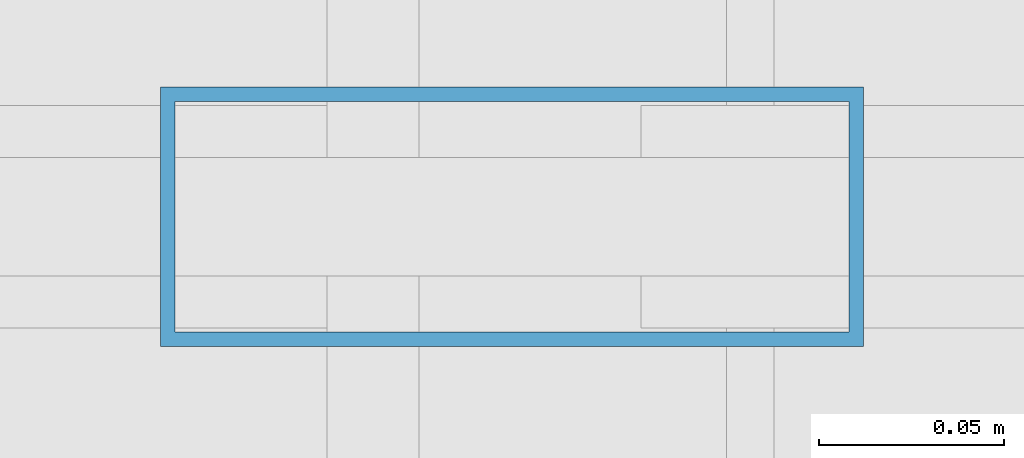
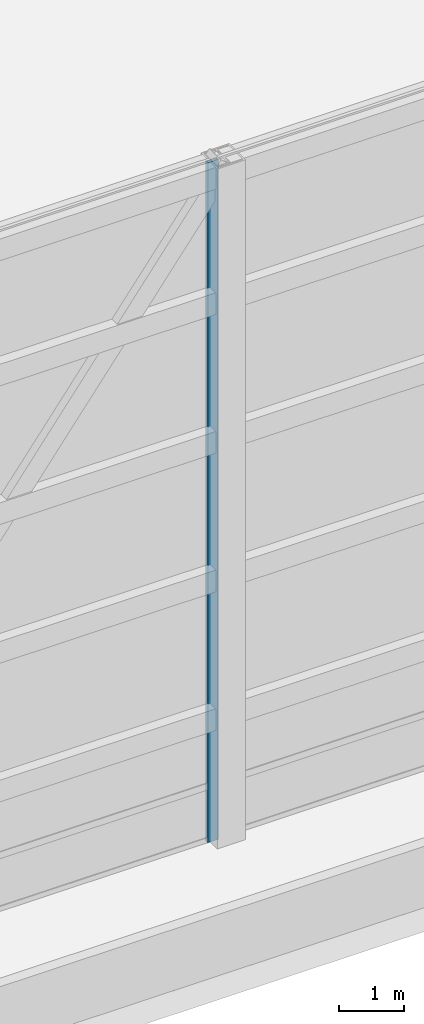
# One storey, part 3 of 23: 1 member, 1 element without a shape of its own.
"""IFC4 building model written with IfcOpenShell, lengths in metres."""

from ifc_helpers import new_model, si_unit, direction, frame, origin, origin_2d, place, context, subcontext, project, spatial, hollow_rectangle, extrude, source, transform, mapped, material, layer, layer_set, material_profile, profile_set, type_object, type_shapes, element, aggregate, save


model = new_model("IFC4")

# Units and contexts
model_context = context("Model", 3, precision=1e-05, world=origin(), true_north=direction((0.0, 1.0)))
body_context = subcontext(model_context, "Body", "Model", "MODEL_VIEW")
ifc_project = project(units=[si_unit("LENGTHUNIT", "METRE"), si_unit("AREAUNIT", "SQUARE_METRE"), si_unit("VOLUMEUNIT", "CUBIC_METRE"), si_unit("PLANEANGLEUNIT", "RADIAN"), si_unit("MASSUNIT", "GRAM", prefix="KILO")], contexts=[model_context])

# Site, building, storey
site_placement = place(None, origin())
site = spatial("IfcSite", under=ifc_project, at=site_placement, CompositionType="ELEMENT")
building_placement = place(site_placement, origin())
building = spatial("IfcBuilding", under=site, at=building_placement, Name="Varnel Quay Broadcast Tower", CompositionType="ELEMENT")
storey_placement = place(building_placement, frame((0.0, 0.0, 319.800048828125)))
storey = spatial("IfcBuildingStorey", under=building, at=storey_placement, Name="Roof", CompositionType="ELEMENT", Elevation=319.800048828125)

# Curtain wall, member
ifc_material = material(Name="Anodised Bronze Aluminium 6063-T6", Category="aluminium")
ifc_layer = layer(ifc_material, 0.18994140625, Name="Anodised Bronze Aluminium 6063-T6")
ifc_layer_set = layer_set([ifc_layer], Name="Anodised Bronze Aluminium 6063-T6")
curtain_wall_type = type_object("IfcCurtainWallType", Name="CW_CrownScreen", PredefinedType="NOTDEFINED", material=ifc_layer_set)
curtain_wall_placement = place(storey_placement, origin())
curtain_wall = element("IfcCurtainWall", 1, at=curtain_wall_placement, inside=storey, type_object=curtain_wall_type, Name="Ring Crown Bronze Glazed Louvre Screen S1", PredefinedType="NOTDEFINED")
ifc_material_profile = material_profile(ifc_material, hollow_rectangle(XDim=0.070068359375, YDim=0.18994140625, WallThickness=0.00390625, at=origin_2d()), Name="ALU70X190X4")
ifc_profile_set = profile_set([ifc_material_profile], Name="Anodised Bronze Aluminium 6063-T6")
member_type = type_object("IfcMemberType", Name="Mull_CWS-06", PredefinedType="MULLION", material=ifc_profile_set)
shared_shape = source(origin(), body_context, "Body", "SweptSolid", [
    extrude(hollow_rectangle(XDim=0.070068359375, YDim=0.18994140625, WallThickness=0.00390625, at=origin_2d()), origin(), (0.0, 0.0, 1.0), 12.75),
])
type_shapes(member_type, [shared_shape])
member_placement = place(storey_placement, frame((24.60009765625, 16.39990234375, 0.0), z_axis=(0.0, 0.0, 1.0), x_axis=(0.0, 1.0, 0.0)))
member = element("IfcMember", 2, at=member_placement, type_object=member_type, Name="CWS-06 mullion 2", PredefinedType="MULLION", context=body_context, shape_type="MappedRepresentation", body=[
    mapped(shared_shape, transform((0.0, 0.0, 0.0), x_axis=(1.0, 0.0, 0.0), y_axis=(0.0, 1.0, 0.0), z_axis=(0.0, 0.0, 1.0), scale=1.0)),
])
aggregate(curtain_wall, [member])

save(model, "model.ifc")
